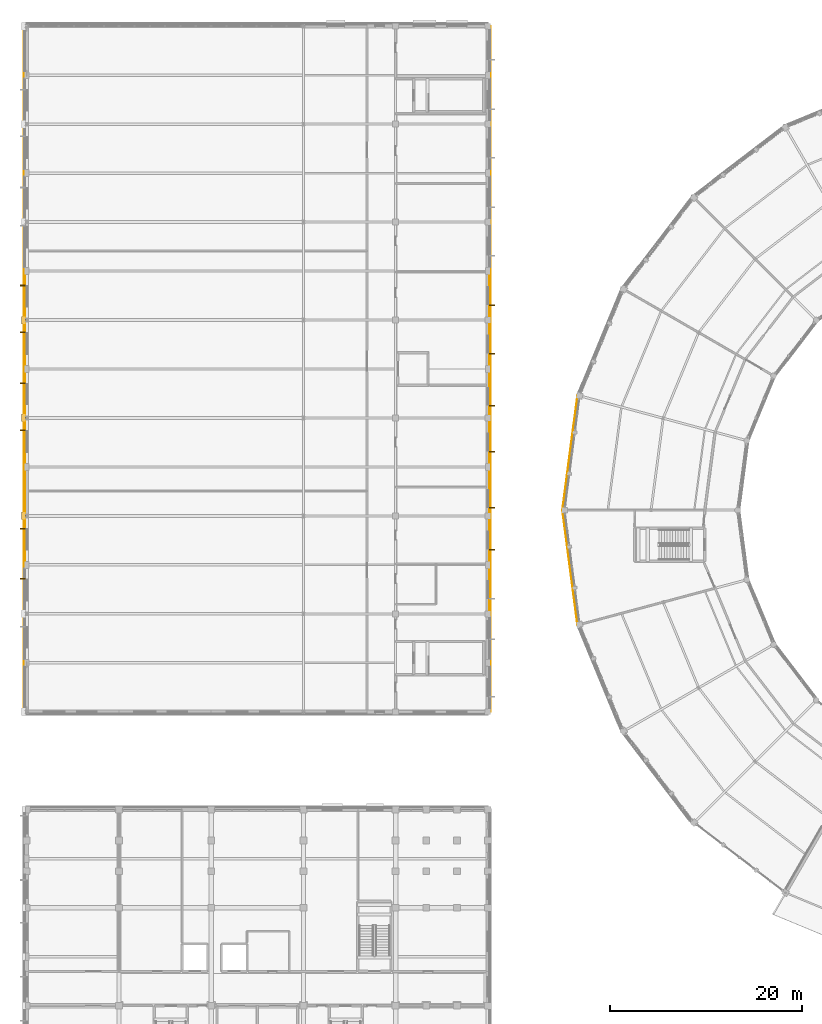
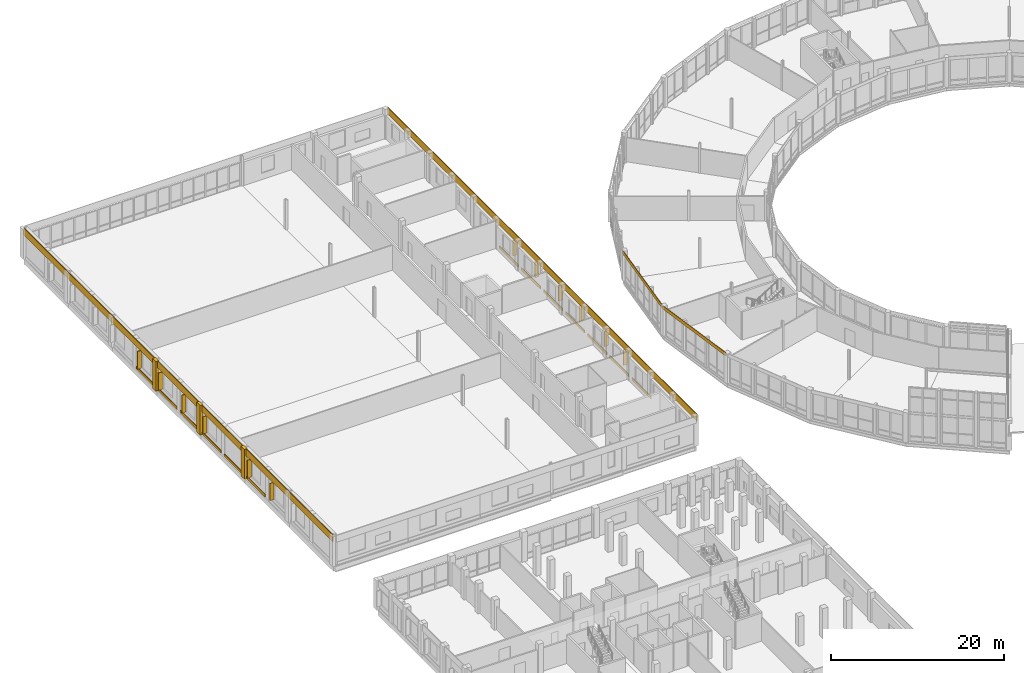
# One storey, part 176 of 185: 20 coverings, 12 shading devices.
"""IFC4 building model written with IfcOpenShell, lengths in metres."""

from ifc_helpers import new_model, si_unit, direction, frame, origin, origin_2d, place, context, subcontext, project, spatial, rectangle, extrude, material, layer, layer_set, type_object, element, save


model = new_model("IFC4")

# Units and contexts
model_context = context("Model", 3, precision=1e-05, world=origin(), true_north=direction((0.0, 1.0)))
body_context = subcontext(model_context, "Body", "Model", "MODEL_VIEW")
ifc_project = project(units=[si_unit("LENGTHUNIT", "METRE"), si_unit("AREAUNIT", "SQUARE_METRE"), si_unit("VOLUMEUNIT", "CUBIC_METRE"), si_unit("PLANEANGLEUNIT", "RADIAN"), si_unit("MASSUNIT", "GRAM", prefix="KILO")], contexts=[model_context])

# Site, building, storey
site_placement = place(None, origin())
site = spatial("IfcSite", under=ifc_project, at=site_placement, CompositionType="ELEMENT")
building_placement = place(site_placement, origin())
building = spatial("IfcBuilding", under=site, at=building_placement, Name="Vondelvale Polytechnic", CompositionType="ELEMENT")
storey_placement = place(building_placement, frame((0.0, 0.0, 9.60009765625)))
storey = spatial("IfcBuildingStorey", under=building, at=storey_placement, Name="L02", CompositionType="ELEMENT", Elevation=9.60009765625)

# Coverings
ifc_material_1 = material(Name="Amsterdam School iron-spot clinker clay brickwork", Category="masonry")
ifc_layer_1 = layer(ifc_material_1, 0.090087890625)
ifc_layer_set_1 = layer_set([ifc_layer_1], Name="COV-BRICK-RELIEF")
covering_type_1 = type_object("IfcCoveringType", Name="COV-BRICK-RELIEF", PredefinedType="CLADDING", material=ifc_layer_set_1)
for number, where, z_axis, x_axis, name in (
    (1, (-0.264892578125, 86.699951171875, 3.239990234375), (0.0, 0.0, 1.0), (0.0, 1.0, 0.0), "L02 exterior masonry spandrel band"),
    (2, (48.264892578125, 86.699951171875, 3.239990234375), (0.0, 0.0, 1.0), (0.0, 1.0, 0.0), "L02 exterior masonry spandrel band"),
):
    element("IfcCovering", number, at=place(storey_placement, frame(where, z_axis=z_axis, x_axis=x_axis)), inside=storey, type_object=covering_type_1, Name=name, PredefinedType="CLADDING", context=body_context, shape_type="SweptSolid", body=[
        extrude(rectangle(XDim=71.39990234375, YDim=0.090087890625, at=origin_2d()), origin(), (0.0, 0.0, 1.0), 0.9599609375),
    ])
for number, where, z_axis, x_axis, name in (
    (3, (-0.216064453125, 68.943359375, 0.0), (0.0, 0.0, 1.0), (0.0, 1.0, 0.0), "L02 exterior corbelled masonry relief band"),
    (4, (-0.216064453125, 73.856689453125, 0.0), (0.0, 0.0, 1.0), (0.0, 1.0, 0.0), "L02 exterior corbelled masonry relief band"),
    (5, (-0.216064453125, 79.143310546875, 0.0), (0.0, 0.0, 1.0), (0.0, 1.0, 0.0), "L02 exterior corbelled masonry relief band"),
    (6, (-0.216064453125, 84.056640625, 0.0), (0.0, 0.0, 1.0), (0.0, 1.0, 0.0), "L02 exterior corbelled masonry relief band"),
    (7, (-0.216064453125, 89.34326171875, 0.0), (0.0, 0.0, 1.0), (0.0, 1.0, 0.0), "L02 exterior corbelled masonry relief band"),
    (8, (-0.216064453125, 94.2568359375, 0.0), (0.0, 0.0, 1.0), (0.0, 1.0, 0.0), "L02 exterior corbelled masonry relief band"),
):
    element("IfcCovering", number, at=place(storey_placement, frame(where, z_axis=z_axis, x_axis=x_axis)), inside=storey, type_object=covering_type_1, Name=name, PredefinedType="CLADDING", context=body_context, shape_type="SweptSolid", body=[
        extrude(rectangle(XDim=4.5244140625, YDim=0.090087890625, at=origin_2d()), origin(), (0.0, 0.0, 1.0), 0.3798828125),
    ])
for number, where, z_axis, x_axis, name in (
    (9, (48.216064453125, 63.72509765625, 0.0), (0.0, 0.0, 1.0), (0.0, -1.0, 0.0), "L02 exterior corbelled masonry relief band"),
    (10, (48.216064453125, 68.875, 0.0), (0.0, 0.0, 1.0), (0.0, -1.0, 0.0), "L02 exterior corbelled masonry relief band"),
    (11, (48.216064453125, 73.925048828125, 0.0), (0.0, 0.0, 1.0), (0.0, -1.0, 0.0), "L02 exterior corbelled masonry relief band"),
    (12, (48.216064453125, 79.074951171875, 0.0), (0.0, 0.0, 1.0), (0.0, -1.0, 0.0), "L02 exterior corbelled masonry relief band"),
    (13, (48.216064453125, 84.125, 0.0), (0.0, 0.0, 1.0), (0.0, -1.0, 0.0), "L02 exterior corbelled masonry relief band"),
    (14, (48.216064453125, 89.27490234375, 0.0), (0.0, 0.0, 1.0), (0.0, -1.0, 0.0), "L02 exterior corbelled masonry relief band"),
    (15, (48.216064453125, 94.324951171875, 0.0), (0.0, 0.0, 1.0), (0.0, -1.0, 0.0), "L02 exterior corbelled masonry relief band"),
):
    element("IfcCovering", number, at=place(storey_placement, frame(where, z_axis=z_axis, x_axis=x_axis)), inside=storey, type_object=covering_type_1, Name=name, PredefinedType="CLADDING", context=body_context, shape_type="SweptSolid", body=[
        extrude(rectangle(XDim=4.387939453125, YDim=0.090087890625, at=origin_2d()), origin(), (0.0, 0.0, 1.0), 0.3798828125),
    ])
for number, where, z_axis, x_axis, name in (
    (16, (-0.340087890625, 71.39990234375, 0.0), (0.0, 0.0, 1.0), (1.0, 0.0, 0.0), "L02 Workshop giant-order brick buttress pier"),
    (17, (-0.340087890625, 81.60009765625, 0.0), (0.0, 0.0, 1.0), (1.0, 0.0, 0.0), "L02 Workshop giant-order brick buttress pier"),
    (18, (-0.340087890625, 91.800048828125, 0.0), (0.0, 0.0, 1.0), (1.0, 0.0, 0.0), "L02 Workshop giant-order brick buttress pier"),
):
    element("IfcCovering", number, at=place(storey_placement, frame(where, z_axis=z_axis, x_axis=x_axis)), inside=storey, type_object=covering_type_1, Name=name, PredefinedType="CLADDING", context=body_context, shape_type="SweptSolid", body=[
        extrude(rectangle(XDim=0.39990234375, YDim=0.780029296875, at=origin_2d()), origin(), (0.0, 0.0, 1.0), 4.199951171875),
    ])
ifc_material_2 = material(Name="Engineered Tasmanian oak studio and bridge joinery")
ifc_layer_2 = layer(ifc_material_2, 0.06494140625)
ifc_layer_set_2 = layer_set([ifc_layer_2], Name="COV-OAK-SPANDREL")
covering_type_2 = type_object("IfcCoveringType", Name="COV-OAK-SPANDREL", PredefinedType="CLADDING", material=ifc_layer_set_2)
for number, where, z_axis, x_axis, name in (
    (19, (56.57470703125, 77.980224609375, 3.719970703125), (0.0, 0.0, 1.0), (-0.13052619222, -0.991444861374, 0.0), "L02 exterior masonry spandrel band"),
    (20, (56.57470703125, 66.019775390625, 3.719970703125), (0.0, 0.0, 1.0), (0.13052619222, -0.991444861374, 0.0), "L02 exterior masonry spandrel band"),
):
    element("IfcCovering", number, at=place(storey_placement, frame(where, z_axis=z_axis, x_axis=x_axis)), inside=storey, type_object=covering_type_2, Name=name, PredefinedType="CLADDING", context=body_context, shape_type="SweptSolid", body=[
        extrude(rectangle(XDim=12.00830078125, YDim=0.06494140625, at=origin_2d()), origin(), (0.0, 0.0, 1.0), 0.47998046875),
    ])

# Shading devices
ifc_material_3 = material(Name="Kiln-fired architectural terracotta", Category="masonry")
shading_device_type = type_object("IfcShadingDeviceType", Name="SHD-TERRA-FIN-550", PredefinedType="JALOUSIE", material=ifc_material_3)
shading_device_1_placement = place(storey_placement, frame((-0.43505859375, 64.8466796875, 0.7900390625), z_axis=(0.0, 0.0, 1.0), x_axis=(0.0, 1.0, 0.0)))
element("IfcShadingDevice", 21, at=shading_device_1_placement, inside=storey, type_object=shading_device_type, Name="L02 vertical terracotta solar fin", PredefinedType="JALOUSIE", context=body_context, shape_type="SweptSolid", body=[
    extrude(rectangle(XDim=0.110107421875, YDim=0.550048828125, at=origin_2d()), origin(), (0.0, 0.0, 1.0), 2.419921875),
])
shading_device_2_placement = place(storey_placement, frame((-0.43505859375, 70.083251953125, 0.789794921875), z_axis=(0.0, 0.0, 1.0), x_axis=(0.0, 1.0, 0.0)))
element("IfcShadingDevice", 22, at=shading_device_2_placement, inside=storey, type_object=shading_device_type, Name="L02 vertical terracotta solar fin", PredefinedType="JALOUSIE", context=body_context, shape_type="SweptSolid", body=[
    extrude(rectangle(XDim=0.110107421875, YDim=0.550048828125, at=origin_2d()), origin(), (0.0, 0.0, 1.0), 2.52001953125),
])
shading_device_3_placement = place(storey_placement, frame((-0.43505859375, 80.333251953125, 0.7900390625), z_axis=(0.0, 0.0, 1.0), x_axis=(0.0, 1.0, 0.0)))
element("IfcShadingDevice", 23, at=shading_device_3_placement, inside=storey, type_object=shading_device_type, Name="L02 vertical terracotta solar fin", PredefinedType="JALOUSIE", context=body_context, shape_type="SweptSolid", body=[
    extrude(rectangle(XDim=0.110107421875, YDim=0.550048828125, at=origin_2d()), origin(), (0.0, 0.0, 1.0), 2.419921875),
])
shading_device_4_placement = place(storey_placement, frame((-0.43505859375, 85.19677734375, 0.789794921875), z_axis=(0.0, 0.0, 1.0), x_axis=(0.0, 1.0, 0.0)))
element("IfcShadingDevice", 24, at=shading_device_4_placement, inside=storey, type_object=shading_device_type, Name="L02 vertical terracotta solar fin", PredefinedType="JALOUSIE", context=body_context, shape_type="SweptSolid", body=[
    extrude(rectangle(XDim=0.110107421875, YDim=0.550048828125, at=origin_2d()), origin(), (0.0, 0.0, 1.0), 2.52001953125),
])
shading_device_5_placement = place(storey_placement, frame((-0.43505859375, 90.533203125, 0.7900390625), z_axis=(0.0, 0.0, 1.0), x_axis=(0.0, 1.0, 0.0)))
element("IfcShadingDevice", 25, at=shading_device_5_placement, inside=storey, type_object=shading_device_type, Name="L02 vertical terracotta solar fin", PredefinedType="JALOUSIE", context=body_context, shape_type="SweptSolid", body=[
    extrude(rectangle(XDim=0.110107421875, YDim=0.550048828125, at=origin_2d()), origin(), (0.0, 0.0, 1.0), 2.419921875),
])
shading_device_6_placement = place(storey_placement, frame((-0.43505859375, 95.396728515625, 0.789794921875), z_axis=(0.0, 0.0, 1.0), x_axis=(0.0, 1.0, 0.0)))
element("IfcShadingDevice", 26, at=shading_device_6_placement, inside=storey, type_object=shading_device_type, Name="L02 vertical terracotta solar fin", PredefinedType="JALOUSIE", context=body_context, shape_type="SweptSolid", body=[
    extrude(rectangle(XDim=0.110107421875, YDim=0.550048828125, at=origin_2d()), origin(), (0.0, 0.0, 1.0), 2.52001953125),
])
shading_device_7_placement = place(storey_placement, frame((48.43505859375, 67.885009765625, 0.89013671875), z_axis=(0.0, 0.0, 1.0), x_axis=(0.0, -1.0, 0.0)))
element("IfcShadingDevice", 27, at=shading_device_7_placement, inside=storey, type_object=shading_device_type, Name="L02 vertical terracotta solar fin", PredefinedType="JALOUSIE", context=body_context, shape_type="SweptSolid", body=[
    extrude(rectangle(XDim=0.110107421875, YDim=0.550048828125, at=origin_2d()), origin(), (0.0, 0.0, 1.0), 2.219970703125),
])
shading_device_8_placement = place(storey_placement, frame((48.43505859375, 72.239990234375, 0.889892578125), z_axis=(0.0, 0.0, 1.0), x_axis=(0.0, -1.0, 0.0)))
element("IfcShadingDevice", 28, at=shading_device_8_placement, inside=storey, type_object=shading_device_type, Name="L02 vertical terracotta solar fin", PredefinedType="JALOUSIE", context=body_context, shape_type="SweptSolid", body=[
    extrude(rectangle(XDim=0.110107421875, YDim=0.550048828125, at=origin_2d()), origin(), (0.0, 0.0, 1.0), 2.169921875),
])
shading_device_9_placement = place(storey_placement, frame((48.43505859375, 78.0849609375, 0.89013671875), z_axis=(0.0, 0.0, 1.0), x_axis=(0.0, -1.0, 0.0)))
element("IfcShadingDevice", 29, at=shading_device_9_placement, inside=storey, type_object=shading_device_type, Name="L02 vertical terracotta solar fin", PredefinedType="JALOUSIE", context=body_context, shape_type="SweptSolid", body=[
    extrude(rectangle(XDim=0.110107421875, YDim=0.550048828125, at=origin_2d()), origin(), (0.0, 0.0, 1.0), 2.219970703125),
])
shading_device_10_placement = place(storey_placement, frame((48.43505859375, 82.864990234375, 0.889892578125), z_axis=(0.0, 0.0, 1.0), x_axis=(0.0, -1.0, 0.0)))
element("IfcShadingDevice", 30, at=shading_device_10_placement, inside=storey, type_object=shading_device_type, Name="L02 vertical terracotta solar fin", PredefinedType="JALOUSIE", context=body_context, shape_type="SweptSolid", body=[
    extrude(rectangle(XDim=0.110107421875, YDim=0.550048828125, at=origin_2d()), origin(), (0.0, 0.0, 1.0), 2.169921875),
])
shading_device_11_placement = place(storey_placement, frame((48.43505859375, 88.284912109375, 0.89013671875), z_axis=(0.0, 0.0, 1.0), x_axis=(0.0, -1.0, 0.0)))
element("IfcShadingDevice", 31, at=shading_device_11_placement, inside=storey, type_object=shading_device_type, Name="L02 vertical terracotta solar fin", PredefinedType="JALOUSIE", context=body_context, shape_type="SweptSolid", body=[
    extrude(rectangle(XDim=0.110107421875, YDim=0.550048828125, at=origin_2d()), origin(), (0.0, 0.0, 1.0), 2.219970703125),
])
shading_device_12_placement = place(storey_placement, frame((48.43505859375, 93.360107421875, 0.889892578125), z_axis=(0.0, 0.0, 1.0), x_axis=(0.0, -1.0, 0.0)))
element("IfcShadingDevice", 32, at=shading_device_12_placement, inside=storey, type_object=shading_device_type, Name="L02 vertical terracotta solar fin", PredefinedType="JALOUSIE", context=body_context, shape_type="SweptSolid", body=[
    extrude(rectangle(XDim=0.110107421875, YDim=0.550048828125, at=origin_2d()), origin(), (0.0, 0.0, 1.0), 2.169921875),
])

save(model, "model.ifc")
